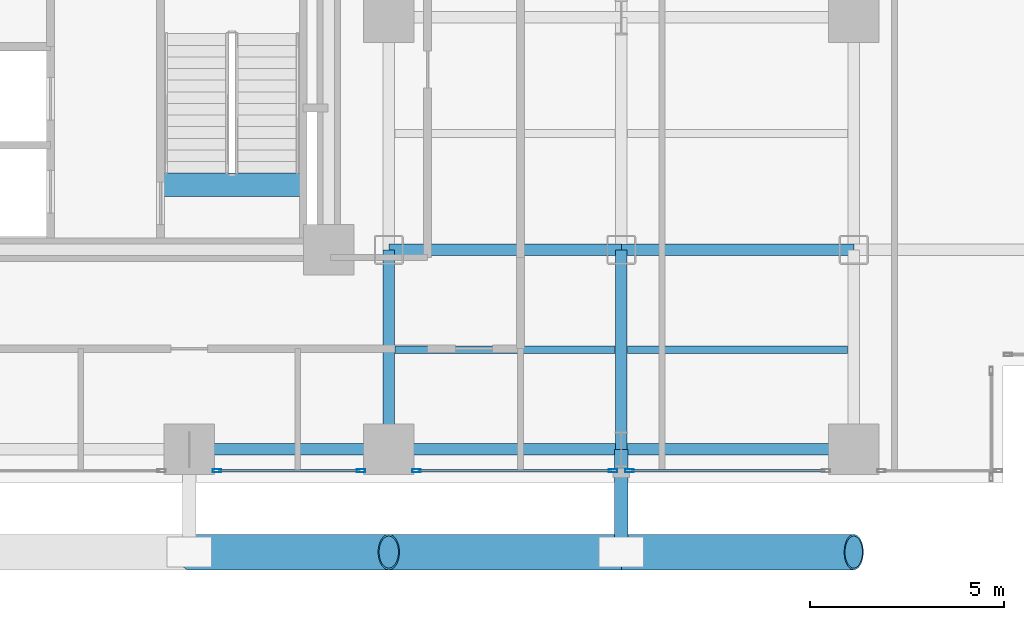
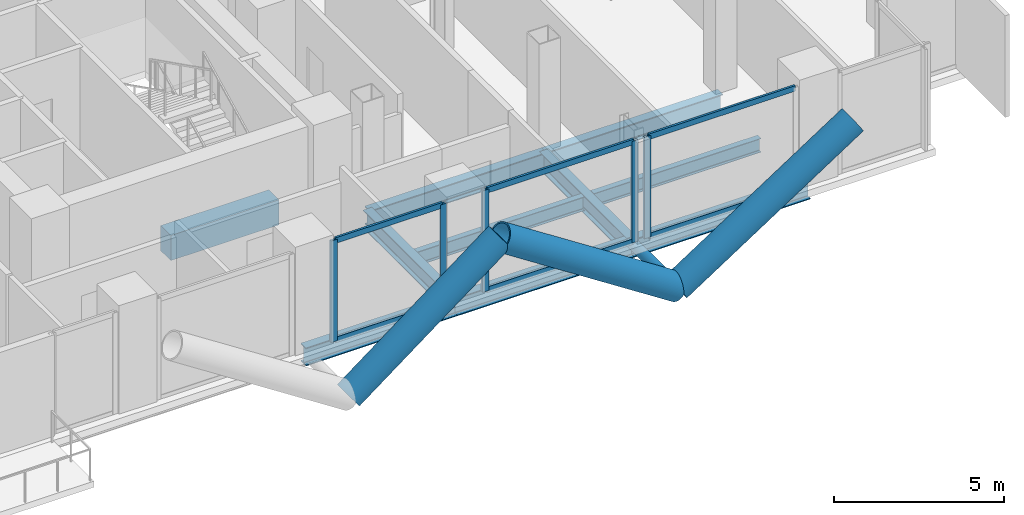
# One storey, part 8 of 25: 15 members, 10 beams, 3 elements without a shape of their own.
"""IFC4 building model written with IfcOpenShell, lengths in metres."""

from ifc_helpers import new_model, si_unit, direction, frame, origin, origin_2d, place, context, subcontext, project, spatial, rectangle, hollow_rectangle, hollow_circle, i_section, extrude, material, layer, layer_set, material_profile, profile_set, type_object, element, aggregate, save


model = new_model("IFC4")

# Units and contexts
model_context = context("Model", 3, precision=1e-05, world=origin(), true_north=direction((0.0, 1.0)))
body_context = subcontext(model_context, "Body", "Model", "MODEL_VIEW")
ifc_project = project(units=[si_unit("LENGTHUNIT", "METRE"), si_unit("AREAUNIT", "SQUARE_METRE"), si_unit("VOLUMEUNIT", "CUBIC_METRE"), si_unit("PLANEANGLEUNIT", "RADIAN"), si_unit("MASSUNIT", "GRAM", prefix="KILO"), si_unit("THERMODYNAMICTEMPERATUREUNIT", "KELVIN"), si_unit("POWERUNIT", "WATT")], contexts=[model_context])

# Site, building, storey
site_placement = place(None, origin())
site = spatial("IfcSite", under=ifc_project, at=site_placement, CompositionType="ELEMENT")
building_placement = place(site_placement, origin())
building = spatial("IfcBuilding", under=site, at=building_placement, Name="Svarakhadi Broadcast Tower", CompositionType="ELEMENT")
storey_placement = place(building_placement, frame((0.0, 0.0, 63.60009765625)))
storey = spatial("IfcBuildingStorey", under=building, at=storey_placement, Name="L14", CompositionType="ELEMENT", Elevation=63.60009765625)

# Beams
ifc_material_1 = material(Name="Steel S355J2 (IS 2062 E350C)", Category="steel")
ifc_material_profile_1 = material_profile(ifc_material_1, i_section(OverallWidth=0.199951171875, OverallDepth=0.5, WebThickness=0.01025390625, FlangeThickness=0.01611328125, FilletRadius=0.02099609375, at=origin_2d()), Name="NPB 500x200x91")
ifc_profile_set_1 = profile_set([ifc_material_profile_1], Name="Steel S355J2 (IS 2062 E350C)")
beam_type_1 = type_object("IfcBeamType", Name="Beam_NPB500", PredefinedType="BEAM", material=ifc_profile_set_1)
for number, where, z_axis, x_axis, name in (
    (1, (35.31005859375, 3.425048828125, -0.5), (1.0, 0.0, 0.0), (0.0, 1.0, 0.0), "L14 Secondary Composite Beam SB022"),
    (2, (41.31005859375, 3.425048828125, -0.5), (1.0, 0.0, 0.0), (0.0, 1.0, 0.0), "L14 Secondary Composite Beam SB025"),
):
    element("IfcBeam", number, at=place(storey_placement, frame(where, z_axis=z_axis, x_axis=x_axis)), inside=storey, type_object=beam_type_1, Name=name, PredefinedType="BEAM", context=body_context, shape_type="SweptSolid", body=[
        extrude(i_section(OverallWidth=0.199951171875, OverallDepth=0.5, WebThickness=0.01025390625, FlangeThickness=0.01611328125, FilletRadius=0.02099609375, at=origin_2d()), origin(), (0.0, 0.0, 1.0), 5.679931640625),
    ])

# Curtain wall, member
ifc_material_2 = material(Name="Anodised Bronze Aluminium AA 6063-T6", Category="aluminium")
ifc_layer = layer(ifc_material_2, 0.219970703125)
ifc_layer_set = layer_set([ifc_layer], Name="Anodised Bronze Aluminium AA 6063-T6")
curtain_wall_type = type_object("IfcCurtainWallType", Name="CW_Sys_02", PredefinedType="NOTDEFINED", material=ifc_layer_set)
curtain_wall_1_placement = place(storey_placement, origin())
curtain_wall_1 = element("IfcCurtainWall", 3, at=curtain_wall_1_placement, inside=storey, type_object=curtain_wall_type, Name="L14 South Curtain Wall 16 Bay 2", PredefinedType="NOTDEFINED")
ifc_material_profile_2 = material_profile(ifc_material_2, hollow_rectangle(XDim=0.0849609375, YDim=0.219970703125, WallThickness=0.006103515625, at=origin_2d()), Name="ALU MULLION 220x85x6")
ifc_profile_set_2 = profile_set([ifc_material_profile_2], Name="Anodised Bronze Aluminium AA 6063-T6")
member_type_1 = type_object("IfcMemberType", Name="CW_Sys_02_Mul", PredefinedType="MULLION", material=ifc_profile_set_2)
member_1_placement = place(storey_placement, frame((41.362548828125, 0.300048828125, 0.0), z_axis=(0.0, 0.0, 1.0), x_axis=(0.0, -1.0, 0.0)))
member_1 = element("IfcMember", 4, at=member_1_placement, type_object=member_type_1, Name="CW-02 mullion 2", PredefinedType="MULLION", context=body_context, shape_type="SweptSolid", body=[
    extrude(hollow_rectangle(XDim=0.0849609375, YDim=0.219970703125, WallThickness=0.006103515625, at=origin_2d()), origin(), (0.0, 0.0, 1.0), 3.64990234375),
])

# Curtain wall, members
curtain_wall_2_placement = place(storey_placement, origin())
curtain_wall_2 = element("IfcCurtainWall", 5, at=curtain_wall_2_placement, inside=storey, type_object=curtain_wall_type, Name="L14 South Curtain Wall 16 Bay 3", PredefinedType="NOTDEFINED")
member_2_placement = place(storey_placement, frame((40.9375, 0.300048828125, 0.0), z_axis=(0.0, 0.0, 1.0), x_axis=(0.0, -1.0, 0.0)))
member_2 = element("IfcMember", 6, at=member_2_placement, type_object=member_type_1, Name="CW-02 mullion 1", PredefinedType="MULLION", context=body_context, shape_type="SweptSolid", body=[
    extrude(hollow_rectangle(XDim=0.0849609375, YDim=0.219970703125, WallThickness=0.006103515625, at=origin_2d()), origin(), (0.0, 0.0, 1.0), 3.64990234375),
])
member_3_placement = place(storey_placement, frame((35.862548828125, 0.300048828125, 0.0), z_axis=(0.0, 0.0, 1.0), x_axis=(0.0, -1.0, 0.0)))
member_3 = element("IfcMember", 7, at=member_3_placement, type_object=member_type_1, Name="CW-02 mullion 2", PredefinedType="MULLION", context=body_context, shape_type="SweptSolid", body=[
    extrude(hollow_rectangle(XDim=0.0849609375, YDim=0.219970703125, WallThickness=0.006103515625, at=origin_2d()), origin(), (0.0, 0.0, 1.0), 3.64990234375),
])

curtain_wall_3_placement = place(storey_placement, origin())
curtain_wall_3 = element("IfcCurtainWall", 8, at=curtain_wall_3_placement, inside=storey, type_object=curtain_wall_type, Name="L14 South Curtain Wall 16 Bay 4", PredefinedType="NOTDEFINED")
member_4_placement = place(storey_placement, frame((34.4375, 0.300048828125, 0.0), z_axis=(0.0, 0.0, 1.0), x_axis=(0.0, -1.0, 0.0)))
member_4 = element("IfcMember", 9, at=member_4_placement, type_object=member_type_1, Name="CW-02 mullion 1", PredefinedType="MULLION", context=body_context, shape_type="SweptSolid", body=[
    extrude(hollow_rectangle(XDim=0.0849609375, YDim=0.219970703125, WallThickness=0.006103515625, at=origin_2d()), origin(), (0.0, 0.0, 1.0), 3.64990234375),
])
member_5_placement = place(storey_placement, frame((30.71240234375, 0.300048828125, 0.0), z_axis=(0.0, 0.0, 1.0), x_axis=(0.0, -1.0, 0.0)))
member_5 = element("IfcMember", 10, at=member_5_placement, type_object=member_type_1, Name="CW-02 mullion 2", PredefinedType="MULLION", context=body_context, shape_type="SweptSolid", body=[
    extrude(hollow_rectangle(XDim=0.0849609375, YDim=0.219970703125, WallThickness=0.006103515625, at=origin_2d()), origin(), (0.0, 0.0, 1.0), 3.64990234375),
])

# Member
ifc_material_profile_3 = material_profile(ifc_material_2, hollow_rectangle(XDim=0.074951171875, YDim=0.199951171875, WallThickness=0.0048828125, at=origin_2d()), Name="ALU TRANSOM 200x75x5")
ifc_profile_set_3 = profile_set([ifc_material_profile_3], Name="Anodised Bronze Aluminium AA 6063-T6")
member_type_2 = type_object("IfcMemberType", Name="CW_Sys_02_Trn", PredefinedType="USERDEFINED", material=ifc_profile_set_3)
member_6_placement = place(storey_placement, frame((46.39501953125, 0.300048828125, 0.037353515625), z_axis=(-1.0, 0.0, 0.0), x_axis=(0.0, -1.0, 0.0)))
member_6 = element("IfcMember", 11, at=member_6_placement, type_object=member_type_2, Name="CW-02 transom 1.1", ObjectType="TRANSOM", PredefinedType="USERDEFINED", context=body_context, shape_type="SweptSolid", body=[
    extrude(hollow_rectangle(XDim=0.074951171875, YDim=0.199951171875, WallThickness=0.0048828125, at=origin_2d()), origin(), (0.0, 0.0, 1.0), 4.989990234375),
])

member_7_placement = place(storey_placement, frame((46.39501953125, 0.300048828125, 3.6123046875), z_axis=(-1.0, 0.0, 0.0), x_axis=(0.0, -1.0, 0.0)))
member_7 = element("IfcMember", 12, at=member_7_placement, type_object=member_type_2, Name="CW-02 transom 1.2", ObjectType="TRANSOM", PredefinedType="USERDEFINED", context=body_context, shape_type="SweptSolid", body=[
    extrude(hollow_rectangle(XDim=0.074951171875, YDim=0.199951171875, WallThickness=0.0048828125, at=origin_2d()), origin(), (0.0, 0.0, 1.0), 4.989990234375),
])

aggregate(curtain_wall_1, [member_1, member_6, member_7])

member_8_placement = place(storey_placement, frame((40.89501953125, 0.300048828125, 0.037353515625), z_axis=(-1.0, 0.0, 0.0), x_axis=(0.0, -1.0, 0.0)))
member_8 = element("IfcMember", 13, at=member_8_placement, type_object=member_type_2, Name="CW-02 transom 1.1", ObjectType="TRANSOM", PredefinedType="USERDEFINED", context=body_context, shape_type="SweptSolid", body=[
    extrude(hollow_rectangle(XDim=0.074951171875, YDim=0.199951171875, WallThickness=0.0048828125, at=origin_2d()), origin(), (0.0, 0.0, 1.0), 4.989990234375),
])

member_9_placement = place(storey_placement, frame((40.89501953125, 0.300048828125, 3.6123046875), z_axis=(-1.0, 0.0, 0.0), x_axis=(0.0, -1.0, 0.0)))
member_9 = element("IfcMember", 14, at=member_9_placement, type_object=member_type_2, Name="CW-02 transom 1.2", ObjectType="TRANSOM", PredefinedType="USERDEFINED", context=body_context, shape_type="SweptSolid", body=[
    extrude(hollow_rectangle(XDim=0.074951171875, YDim=0.199951171875, WallThickness=0.0048828125, at=origin_2d()), origin(), (0.0, 0.0, 1.0), 4.989990234375),
])

aggregate(curtain_wall_2, [member_2, member_3, member_8, member_9])

member_10_placement = place(storey_placement, frame((34.39501953125, 0.300048828125, 0.037353515625), z_axis=(-1.0, 0.0, 0.0), x_axis=(0.0, -1.0, 0.0)))
member_10 = element("IfcMember", 15, at=member_10_placement, type_object=member_type_2, Name="CW-02 transom 1.1", ObjectType="TRANSOM", PredefinedType="USERDEFINED", context=body_context, shape_type="SweptSolid", body=[
    extrude(hollow_rectangle(XDim=0.074951171875, YDim=0.199951171875, WallThickness=0.0048828125, at=origin_2d()), origin(), (0.0, 0.0, 1.0), 3.64013671875),
])

member_11_placement = place(storey_placement, frame((34.39501953125, 0.300048828125, 3.6123046875), z_axis=(-1.0, 0.0, 0.0), x_axis=(0.0, -1.0, 0.0)))
member_11 = element("IfcMember", 16, at=member_11_placement, type_object=member_type_2, Name="CW-02 transom 1.2", ObjectType="TRANSOM", PredefinedType="USERDEFINED", context=body_context, shape_type="SweptSolid", body=[
    extrude(hollow_rectangle(XDim=0.074951171875, YDim=0.199951171875, WallThickness=0.0048828125, at=origin_2d()), origin(), (0.0, 0.0, 1.0), 3.64013671875),
])

aggregate(curtain_wall_3, [member_4, member_5, member_10, member_11])

# Beam
ifc_material_3 = material(Name="Concrete C50/60 (IS 456 M60)", Category="concrete")
ifc_material_profile_4 = material_profile(ifc_material_3, rectangle(XDim=0.60009765625, YDim=0.89990234375, at=origin_2d()), Name="RC 600x900")
ifc_profile_set_4 = profile_set([ifc_material_profile_4], Name="Concrete C50/60 (IS 456 M60)")
beam_type_2 = type_object("IfcBeamType", Name="Coupling_RC600", PredefinedType="USERDEFINED", material=ifc_profile_set_4)
beam_1_placement = place(storey_placement, frame((29.260009765625, 7.679931640625, -0.4501953125), z_axis=(1.0, 0.0, 0.0), x_axis=(0.0, 1.0, 0.0)))
element("IfcBeam", 17, at=beam_1_placement, inside=storey, type_object=beam_type_2, Name="L14 Stair ST-02 Landing Throat Trimmer Beam CB-01", ObjectType="GIRDER", PredefinedType="USERDEFINED", context=body_context, shape_type="SweptSolid", body=[
    extrude(rectangle(XDim=0.60009765625, YDim=0.89990234375, at=origin_2d()), origin(), (0.0, 0.0, 1.0), 3.679931640625),
])

# Members
ifc_material_4 = material(Name="Steel S460ML (IS 2062 E450BR)", Category="steel")
ifc_material_profile_5 = material_profile(ifc_material_4, hollow_circle(Radius=0.45703125, WallThickness=0.044921875, at=origin_2d()), Name="CHS 914x45")
ifc_profile_set_5 = profile_set([ifc_material_profile_5], Name="Steel S460ML (IS 2062 E450BR)")
member_type_3 = type_object("IfcMemberType", Name="Exo_Brace_CHS914", PredefinedType="BRACE", material=ifc_profile_set_5)
member_12_placement = place(storey_placement, frame((30.0, -1.800048828125, -0.427978515625), z_axis=(0.797188602897, 0.0, 0.603730346605), x_axis=(0.0, 1.0, 0.0)))
element("IfcMember", 18, at=member_12_placement, inside=storey, type_object=member_type_3, Name="L14 Exposed Bronze Exoskeleton Diagonal S02", PredefinedType="BRACE", context=body_context, shape_type="SweptSolid", body=[
    extrude(hollow_circle(Radius=0.45703125, WallThickness=0.044921875, at=origin_2d()), origin(), (0.0, 0.0, 1.0), 6.4599609375),
])
for number, where, z_axis, x_axis, name in (
    (19, (41.14990234375, -1.800048828125, -0.427978515625), (-0.838434262763, 0.0, 0.545002740383), (0.0, -1.0, 0.0), "L14 Exposed Bronze Exoskeleton Diagonal S03"),
    (20, (41.14990234375, -1.800048828125, -0.427978515625), (0.838434262763, 0.0, 0.545002740383), (0.0, 1.0, 0.0), "L14 Exposed Bronze Exoskeleton Diagonal S04"),
):
    element("IfcMember", number, at=place(storey_placement, frame(where, z_axis=z_axis, x_axis=x_axis)), inside=storey, type_object=member_type_3, Name=name, PredefinedType="BRACE", context=body_context, shape_type="SweptSolid", body=[
        extrude(hollow_circle(Radius=0.45703125, WallThickness=0.044921875, at=origin_2d()), origin(), (0.0, 0.0, 1.0), 7.15625),
    ])
ifc_material_profile_6 = material_profile(ifc_material_4, hollow_circle(Radius=0.177734375, WallThickness=0.02001953125, at=origin_2d()), Name="CHS 355.6x20")
ifc_profile_set_6 = profile_set([ifc_material_profile_6], Name="Steel S460ML (IS 2062 E450BR)")
member_type_4 = type_object("IfcMemberType", Name="Exo_Radial_Strut_Z1", PredefinedType="STRUT", material=ifc_profile_set_6)
member_13_placement = place(storey_placement, frame((41.14990234375, -1.800048828125, -0.427978515625), z_axis=(0.0, 1.0, 0.0), x_axis=(-1.0, 0.0, 0.0)))
element("IfcMember", 21, at=member_13_placement, inside=storey, type_object=member_type_4, Name="L14 Exoskeleton Radial Tie Strut S04", PredefinedType="STRUT", context=body_context, shape_type="SweptSolid", body=[
    extrude(hollow_circle(Radius=0.177734375, WallThickness=0.02001953125, at=origin_2d()), origin(), (0.0, 0.0, 1.0), 2.650146484375),
])

# Beams
ifc_material_profile_7 = material_profile(ifc_material_1, i_section(OverallWidth=0.300048828125, OverallDepth=0.64990234375, WebThickness=0.01611328125, FlangeThickness=0.031005859375, FilletRadius=0.027099609375, at=origin_2d()), Name="WPB 650x300x225")
ifc_profile_set_7 = profile_set([ifc_material_profile_7], Name="Steel S355J2 (IS 2062 E350C)")
beam_type_3 = type_object("IfcBeamType", Name="Girder_WPB650", PredefinedType="USERDEFINED", material=ifc_profile_set_7)
beam_2_placement = place(storey_placement, frame((30.0, 0.85009765625, -0.5751953125), z_axis=(1.0, 0.0, 0.0), x_axis=(0.0, 1.0, 0.0)))
element("IfcBeam", 22, at=beam_2_placement, inside=storey, type_object=beam_type_3, Name="L14 Primary E-W Girder G008", ObjectType="GIRDER", PredefinedType="USERDEFINED", context=body_context, shape_type="SweptSolid", body=[
    extrude(i_section(OverallWidth=0.300048828125, OverallDepth=0.64990234375, WebThickness=0.01611328125, FlangeThickness=0.031005859375, FilletRadius=0.027099609375, at=origin_2d()), origin(), (0.0, 0.0, 1.0), 5.14990234375),
])
for number, where, z_axis, x_axis, name in (
    (23, (35.14990234375, 0.85009765625, -0.5751953125), (1.0, 0.0, 0.0), (0.0, 1.0, 0.0), "L14 Primary E-W Girder G009"),
    (24, (41.14990234375, 0.85009765625, -0.5751953125), (1.0, 0.0, 0.0), (0.0, 1.0, 0.0), "L14 Primary E-W Girder G010"),
    (25, (35.14990234375, 6.0, -0.5751953125), (1.0, 0.0, 0.0), (0.0, 1.0, 0.0), "L14 Primary E-W Girder G016"),
    (26, (41.14990234375, 6.0, -0.5751953125), (1.0, 0.0, 0.0), (0.0, 1.0, 0.0), "L14 Primary E-W Girder G017"),
):
    element("IfcBeam", number, at=place(storey_placement, frame(where, z_axis=z_axis, x_axis=x_axis)), inside=storey, type_object=beam_type_3, Name=name, ObjectType="GIRDER", PredefinedType="USERDEFINED", context=body_context, shape_type="SweptSolid", body=[
        extrude(i_section(OverallWidth=0.300048828125, OverallDepth=0.64990234375, WebThickness=0.01611328125, FlangeThickness=0.031005859375, FilletRadius=0.027099609375, at=origin_2d()), origin(), (0.0, 0.0, 1.0), 6.0),
    ])
for number, where, z_axis, x_axis, name in (
    (27, (35.14990234375, 0.85009765625, -0.5751953125), (0.0, 1.0, 0.0), (-1.0, 0.0, 0.0), "L14 Primary N-S Girder G076"),
    (28, (41.14990234375, 0.85009765625, -0.5751953125), (0.0, 1.0, 0.0), (-1.0, 0.0, 0.0), "L14 Primary N-S Girder G079"),
):
    element("IfcBeam", number, at=place(storey_placement, frame(where, z_axis=z_axis, x_axis=x_axis)), inside=storey, type_object=beam_type_3, Name=name, ObjectType="GIRDER", PredefinedType="USERDEFINED", context=body_context, shape_type="SweptSolid", body=[
        extrude(i_section(OverallWidth=0.300048828125, OverallDepth=0.64990234375, WebThickness=0.01611328125, FlangeThickness=0.031005859375, FilletRadius=0.027099609375, at=origin_2d()), origin(), (0.0, 0.0, 1.0), 5.14990234375),
    ])

save(model, "model.ifc")
